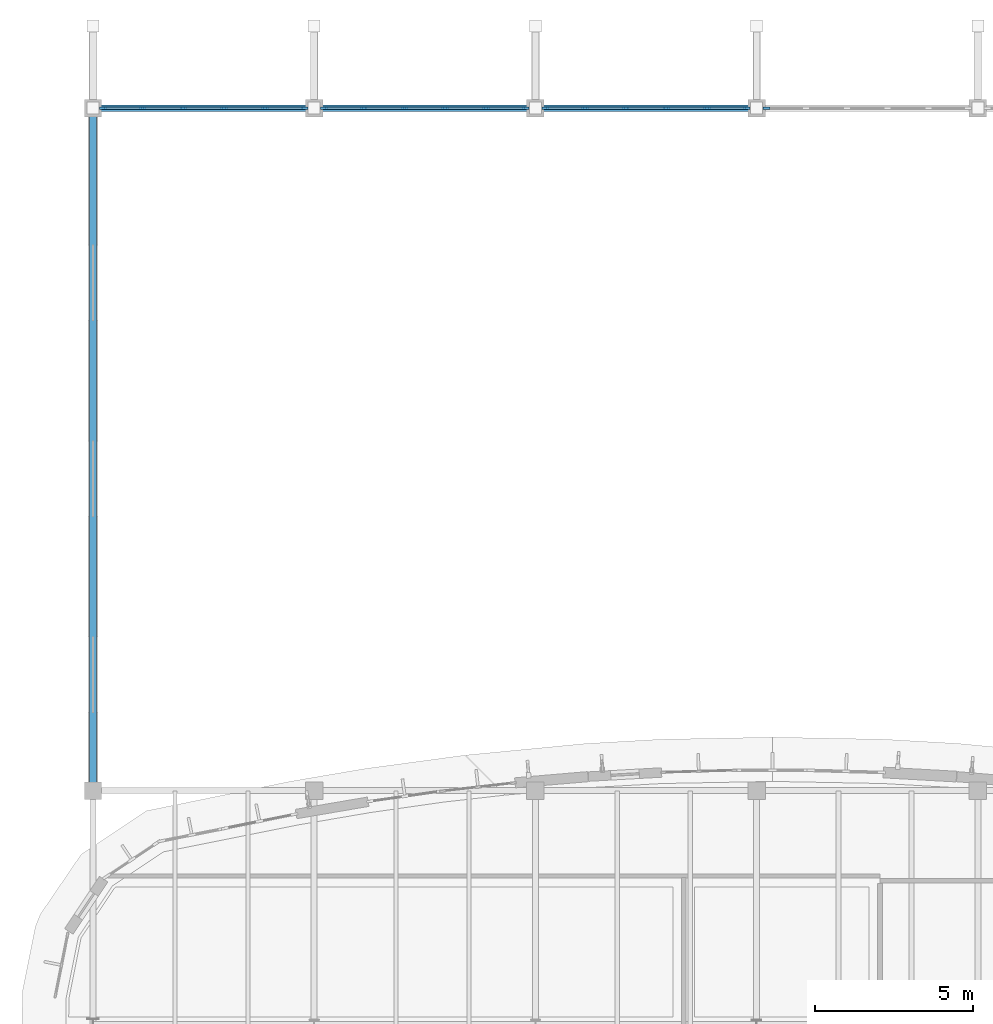
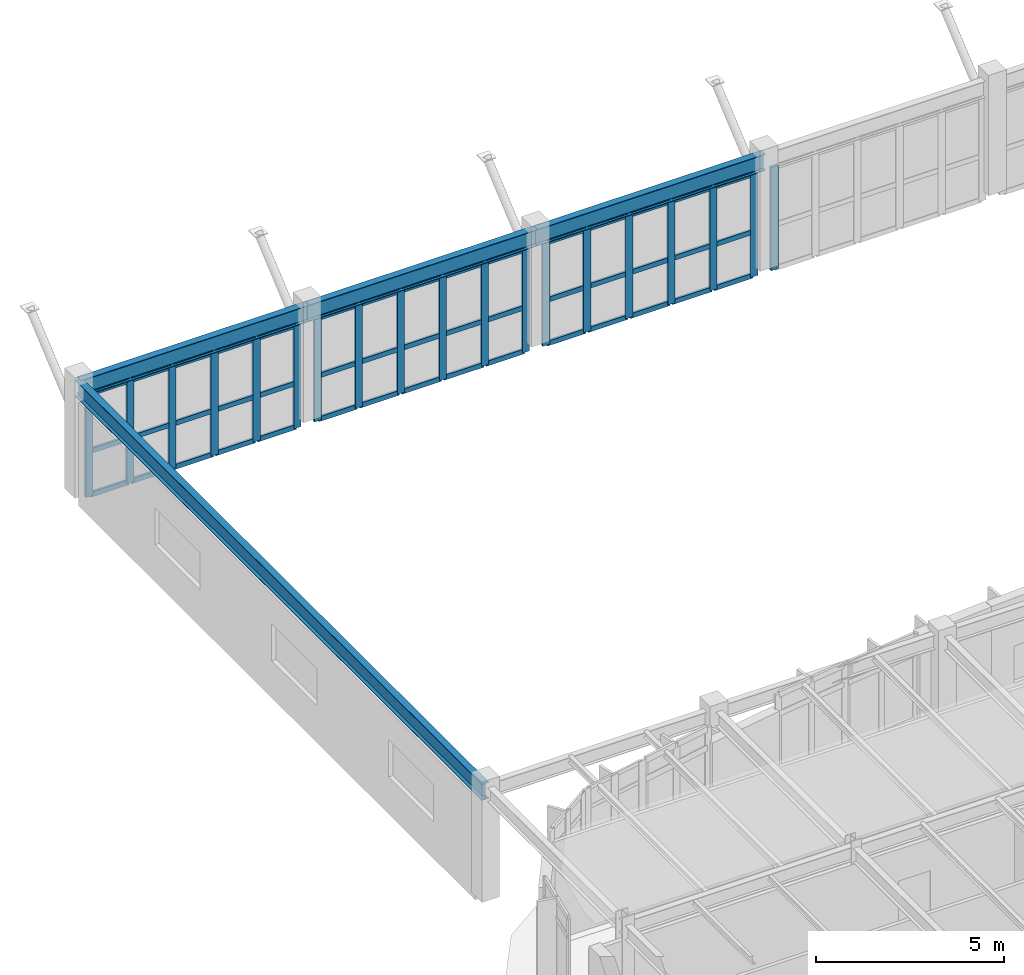
# One storey, part 42 of 111: 64 members, 4 beams, 4 elements without a shape of their own.
"""IFC4 building model written with IfcOpenShell, lengths in metres."""

from ifc_helpers import new_model, si_unit, direction, frame, origin, origin_2d, place, context, subcontext, project, spatial, rectangle, i_section, extrude, material, material_profile, profile_set, type_object, element, aggregate, save


model = new_model("IFC4")

# Units and contexts
model_context = context("Model", 3, precision=1e-05, world=origin(), true_north=direction((0.0, 1.0)))
body_context = subcontext(model_context, "Body", "Model", "MODEL_VIEW")
ifc_project = project(units=[si_unit("LENGTHUNIT", "METRE"), si_unit("AREAUNIT", "SQUARE_METRE"), si_unit("VOLUMEUNIT", "CUBIC_METRE"), si_unit("PLANEANGLEUNIT", "RADIAN"), si_unit("MASSUNIT", "GRAM", prefix="KILO")], contexts=[model_context])

# Site, building, storey
site_placement = place(None, origin())
site = spatial("IfcSite", under=ifc_project, at=site_placement, CompositionType="ELEMENT")
building_placement = place(site_placement, origin())
building = spatial("IfcBuilding", under=site, at=building_placement, Name="Corveleigh Park Community Centre", CompositionType="ELEMENT")
storey_placement = place(building_placement, frame((0.0, 0.0, 4.800048828125)))
storey = spatial("IfcBuildingStorey", under=building, at=storey_placement, Name="L01", CompositionType="ELEMENT", Elevation=4.800048828125)

# Beams
ifc_material_1 = material(Name="Steel S355", Category="steel")
ifc_material_profile_1 = material_profile(ifc_material_1, i_section(OverallWidth=0.2099609375, OverallDepth=0.53662109375, WebThickness=0.0107421875, FlangeThickness=0.017333984375, at=origin_2d()), Name="UKB 533x210x101", Category="steel")
ifc_profile_set_1 = profile_set([ifc_material_profile_1], Name="Steel S355")
beam_type = type_object("IfcBeamType", Name="BM-STL-UKB533x101", PredefinedType="BEAM", material=ifc_profile_set_1)
for number, where, z_axis, x_axis, name in (
    (1, (11.205078125, 114.39990234375, 3.34375), (1.0, 0.0, 0.0), (0.0, 1.0, 0.0), "V2 North Hall Girder"),
    (2, (18.205078125, 114.39990234375, 3.34375), (1.0, 0.0, 0.0), (0.0, 1.0, 0.0), "V2 North Hall Girder"),
    (3, (25.205078125, 114.39990234375, 3.34375), (1.0, 0.0, 0.0), (0.0, 1.0, 0.0), "V2 North Hall Girder"),
):
    element("IfcBeam", number, at=place(storey_placement, frame(where, z_axis=z_axis, x_axis=x_axis)), inside=storey, type_object=beam_type, Name=name, PredefinedType="BEAM", context=body_context, shape_type="SweptSolid", body=[
        extrude(i_section(OverallWidth=0.2099609375, OverallDepth=0.53662109375, WebThickness=0.0107421875, FlangeThickness=0.017333984375, at=origin_2d()), origin(), (0.0, 0.0, 1.0), 6.989990234375),
    ])
beam_placement = place(storey_placement, frame((11.199951171875, 92.804931640625, 3.34375), z_axis=(0.0, 1.0, 0.0), x_axis=(-1.0, 0.0, 0.0)))
element("IfcBeam", 4, at=beam_placement, inside=storey, type_object=beam_type, Name="V2 West Hall Gable Girder", PredefinedType="BEAM", context=body_context, shape_type="SweptSolid", body=[
    extrude(i_section(OverallWidth=0.2099609375, OverallDepth=0.53662109375, WebThickness=0.0107421875, FlangeThickness=0.017333984375, at=origin_2d()), origin(), (0.0, 0.0, 1.0), 21.590087890625),
])

# Curtain wall, members
ifc_material_2 = material(Name="Anodised aluminium 6063-T6", Category="aluminium")
curtain_wall_type = type_object("IfcCurtainWallType", Name="CW-SYS-V2-HALL", PredefinedType="NOTDEFINED", material=ifc_material_2)
curtain_wall_1_placement = place(storey_placement, origin())
curtain_wall_1 = element("IfcCurtainWall", 5, at=curtain_wall_1_placement, inside=storey, type_object=curtain_wall_type, Name="Sports Hall North Clerestory CW 1", PredefinedType="NOTDEFINED")
ifc_material_profile_2 = material_profile(ifc_material_2, rectangle(XDim=0.074951171875, YDim=0.219970703125, at=origin_2d()), Name="ALU-M75x220", Category="aluminium")
ifc_profile_set_2 = profile_set([ifc_material_profile_2], Name="Anodised aluminium 6063-T6")
member_type_1 = type_object("IfcMemberType", Name="CWM-75x220", PredefinedType="MULLION", material=ifc_profile_set_2)
member_1_placement = place(storey_placement, frame((17.887451171875, 114.39990234375, -0.2880859375), z_axis=(0.0, 0.0, 1.0), x_axis=(0.0, -1.0, 0.0)))
member_1 = element("IfcMember", 6, at=member_1_placement, type_object=member_type_1, Name="CW04 mullion 1", PredefinedType="MULLION", context=body_context, shape_type="SweptSolid", body=[
    extrude(rectangle(XDim=0.074951171875, YDim=0.219970703125, at=origin_2d()), origin(), (0.0, 0.0, 1.0), 3.35107421875),
])
member_2_placement = place(storey_placement, frame((16.635009765625, 114.39990234375, -0.2880859375), z_axis=(0.0, 0.0, 1.0), x_axis=(0.0, -1.0, 0.0)))
member_2 = element("IfcMember", 7, at=member_2_placement, type_object=member_type_1, Name="CW04 mullion 2", PredefinedType="MULLION", context=body_context, shape_type="SweptSolid", body=[
    extrude(rectangle(XDim=0.074951171875, YDim=0.219970703125, at=origin_2d()), origin(), (0.0, 0.0, 1.0), 3.35107421875),
])
member_3_placement = place(storey_placement, frame((15.344970703125, 114.39990234375, -0.2880859375), z_axis=(0.0, 0.0, 1.0), x_axis=(0.0, -1.0, 0.0)))
member_3 = element("IfcMember", 8, at=member_3_placement, type_object=member_type_1, Name="CW04 mullion 3", PredefinedType="MULLION", context=body_context, shape_type="SweptSolid", body=[
    extrude(rectangle(XDim=0.074951171875, YDim=0.219970703125, at=origin_2d()), origin(), (0.0, 0.0, 1.0), 3.35107421875),
])
member_4_placement = place(storey_placement, frame((14.054931640625, 114.39990234375, -0.2880859375), z_axis=(0.0, 0.0, 1.0), x_axis=(0.0, -1.0, 0.0)))
member_4 = element("IfcMember", 9, at=member_4_placement, type_object=member_type_1, Name="CW04 mullion 4", PredefinedType="MULLION", context=body_context, shape_type="SweptSolid", body=[
    extrude(rectangle(XDim=0.074951171875, YDim=0.219970703125, at=origin_2d()), origin(), (0.0, 0.0, 1.0), 3.35107421875),
])
member_5_placement = place(storey_placement, frame((12.764892578125, 114.39990234375, -0.2880859375), z_axis=(0.0, 0.0, 1.0), x_axis=(0.0, -1.0, 0.0)))
member_5 = element("IfcMember", 10, at=member_5_placement, type_object=member_type_1, Name="CW04 mullion 5", PredefinedType="MULLION", context=body_context, shape_type="SweptSolid", body=[
    extrude(rectangle(XDim=0.074951171875, YDim=0.219970703125, at=origin_2d()), origin(), (0.0, 0.0, 1.0), 3.35107421875),
])
member_6_placement = place(storey_placement, frame((11.512451171875, 114.39990234375, -0.2880859375), z_axis=(0.0, 0.0, 1.0), x_axis=(0.0, -1.0, 0.0)))
member_6 = element("IfcMember", 11, at=member_6_placement, type_object=member_type_1, Name="CW04 mullion 6", PredefinedType="MULLION", context=body_context, shape_type="SweptSolid", body=[
    extrude(rectangle(XDim=0.074951171875, YDim=0.219970703125, at=origin_2d()), origin(), (0.0, 0.0, 1.0), 3.35107421875),
])

curtain_wall_2_placement = place(storey_placement, origin())
curtain_wall_2 = element("IfcCurtainWall", 12, at=curtain_wall_2_placement, inside=storey, type_object=curtain_wall_type, Name="Sports Hall North Clerestory CW 2", PredefinedType="NOTDEFINED")
member_7_placement = place(storey_placement, frame((24.887451171875, 114.39990234375, -0.2880859375), z_axis=(0.0, 0.0, 1.0), x_axis=(0.0, -1.0, 0.0)))
member_7 = element("IfcMember", 13, at=member_7_placement, type_object=member_type_1, Name="CW04 mullion 1", PredefinedType="MULLION", context=body_context, shape_type="SweptSolid", body=[
    extrude(rectangle(XDim=0.074951171875, YDim=0.219970703125, at=origin_2d()), origin(), (0.0, 0.0, 1.0), 3.35107421875),
])
member_8_placement = place(storey_placement, frame((23.635009765625, 114.39990234375, -0.2880859375), z_axis=(0.0, 0.0, 1.0), x_axis=(0.0, -1.0, 0.0)))
member_8 = element("IfcMember", 14, at=member_8_placement, type_object=member_type_1, Name="CW04 mullion 2", PredefinedType="MULLION", context=body_context, shape_type="SweptSolid", body=[
    extrude(rectangle(XDim=0.074951171875, YDim=0.219970703125, at=origin_2d()), origin(), (0.0, 0.0, 1.0), 3.35107421875),
])
member_9_placement = place(storey_placement, frame((22.344970703125, 114.39990234375, -0.2880859375), z_axis=(0.0, 0.0, 1.0), x_axis=(0.0, -1.0, 0.0)))
member_9 = element("IfcMember", 15, at=member_9_placement, type_object=member_type_1, Name="CW04 mullion 3", PredefinedType="MULLION", context=body_context, shape_type="SweptSolid", body=[
    extrude(rectangle(XDim=0.074951171875, YDim=0.219970703125, at=origin_2d()), origin(), (0.0, 0.0, 1.0), 3.35107421875),
])
member_10_placement = place(storey_placement, frame((21.054931640625, 114.39990234375, -0.2880859375), z_axis=(0.0, 0.0, 1.0), x_axis=(0.0, -1.0, 0.0)))
member_10 = element("IfcMember", 16, at=member_10_placement, type_object=member_type_1, Name="CW04 mullion 4", PredefinedType="MULLION", context=body_context, shape_type="SweptSolid", body=[
    extrude(rectangle(XDim=0.074951171875, YDim=0.219970703125, at=origin_2d()), origin(), (0.0, 0.0, 1.0), 3.35107421875),
])
member_11_placement = place(storey_placement, frame((19.764892578125, 114.39990234375, -0.2880859375), z_axis=(0.0, 0.0, 1.0), x_axis=(0.0, -1.0, 0.0)))
member_11 = element("IfcMember", 17, at=member_11_placement, type_object=member_type_1, Name="CW04 mullion 5", PredefinedType="MULLION", context=body_context, shape_type="SweptSolid", body=[
    extrude(rectangle(XDim=0.074951171875, YDim=0.219970703125, at=origin_2d()), origin(), (0.0, 0.0, 1.0), 3.35107421875),
])
member_12_placement = place(storey_placement, frame((18.512451171875, 114.39990234375, -0.2880859375), z_axis=(0.0, 0.0, 1.0), x_axis=(0.0, -1.0, 0.0)))
member_12 = element("IfcMember", 18, at=member_12_placement, type_object=member_type_1, Name="CW04 mullion 6", PredefinedType="MULLION", context=body_context, shape_type="SweptSolid", body=[
    extrude(rectangle(XDim=0.074951171875, YDim=0.219970703125, at=origin_2d()), origin(), (0.0, 0.0, 1.0), 3.35107421875),
])

curtain_wall_3_placement = place(storey_placement, origin())
curtain_wall_3 = element("IfcCurtainWall", 19, at=curtain_wall_3_placement, inside=storey, type_object=curtain_wall_type, Name="Sports Hall North Clerestory CW 3", PredefinedType="NOTDEFINED")
member_13_placement = place(storey_placement, frame((31.887451171875, 114.39990234375, -0.2880859375), z_axis=(0.0, 0.0, 1.0), x_axis=(0.0, -1.0, 0.0)))
member_13 = element("IfcMember", 20, at=member_13_placement, type_object=member_type_1, Name="CW04 mullion 1", PredefinedType="MULLION", context=body_context, shape_type="SweptSolid", body=[
    extrude(rectangle(XDim=0.074951171875, YDim=0.219970703125, at=origin_2d()), origin(), (0.0, 0.0, 1.0), 3.35107421875),
])
member_14_placement = place(storey_placement, frame((30.635009765625, 114.39990234375, -0.2880859375), z_axis=(0.0, 0.0, 1.0), x_axis=(0.0, -1.0, 0.0)))
member_14 = element("IfcMember", 21, at=member_14_placement, type_object=member_type_1, Name="CW04 mullion 2", PredefinedType="MULLION", context=body_context, shape_type="SweptSolid", body=[
    extrude(rectangle(XDim=0.074951171875, YDim=0.219970703125, at=origin_2d()), origin(), (0.0, 0.0, 1.0), 3.35107421875),
])
member_15_placement = place(storey_placement, frame((29.344970703125, 114.39990234375, -0.2880859375), z_axis=(0.0, 0.0, 1.0), x_axis=(0.0, -1.0, 0.0)))
member_15 = element("IfcMember", 22, at=member_15_placement, type_object=member_type_1, Name="CW04 mullion 3", PredefinedType="MULLION", context=body_context, shape_type="SweptSolid", body=[
    extrude(rectangle(XDim=0.074951171875, YDim=0.219970703125, at=origin_2d()), origin(), (0.0, 0.0, 1.0), 3.35107421875),
])
member_16_placement = place(storey_placement, frame((28.054931640625, 114.39990234375, -0.2880859375), z_axis=(0.0, 0.0, 1.0), x_axis=(0.0, -1.0, 0.0)))
member_16 = element("IfcMember", 23, at=member_16_placement, type_object=member_type_1, Name="CW04 mullion 4", PredefinedType="MULLION", context=body_context, shape_type="SweptSolid", body=[
    extrude(rectangle(XDim=0.074951171875, YDim=0.219970703125, at=origin_2d()), origin(), (0.0, 0.0, 1.0), 3.35107421875),
])
member_17_placement = place(storey_placement, frame((26.764892578125, 114.39990234375, -0.2880859375), z_axis=(0.0, 0.0, 1.0), x_axis=(0.0, -1.0, 0.0)))
member_17 = element("IfcMember", 24, at=member_17_placement, type_object=member_type_1, Name="CW04 mullion 5", PredefinedType="MULLION", context=body_context, shape_type="SweptSolid", body=[
    extrude(rectangle(XDim=0.074951171875, YDim=0.219970703125, at=origin_2d()), origin(), (0.0, 0.0, 1.0), 3.35107421875),
])
member_18_placement = place(storey_placement, frame((25.512451171875, 114.39990234375, -0.2880859375), z_axis=(0.0, 0.0, 1.0), x_axis=(0.0, -1.0, 0.0)))
member_18 = element("IfcMember", 25, at=member_18_placement, type_object=member_type_1, Name="CW04 mullion 6", PredefinedType="MULLION", context=body_context, shape_type="SweptSolid", body=[
    extrude(rectangle(XDim=0.074951171875, YDim=0.219970703125, at=origin_2d()), origin(), (0.0, 0.0, 1.0), 3.35107421875),
])

# Curtain wall, member
curtain_wall_4_placement = place(storey_placement, origin())
curtain_wall_4 = element("IfcCurtainWall", 26, at=curtain_wall_4_placement, inside=storey, type_object=curtain_wall_type, Name="Sports Hall North Clerestory CW 4", PredefinedType="NOTDEFINED")
member_19_placement = place(storey_placement, frame((32.512451171875, 114.39990234375, -0.2880859375), z_axis=(0.0, 0.0, 1.0), x_axis=(0.0, -1.0, 0.0)))
member_19 = element("IfcMember", 27, at=member_19_placement, type_object=member_type_1, Name="CW04 mullion 6", PredefinedType="MULLION", context=body_context, shape_type="SweptSolid", body=[
    extrude(rectangle(XDim=0.074951171875, YDim=0.219970703125, at=origin_2d()), origin(), (0.0, 0.0, 1.0), 3.35107421875),
])
aggregate(curtain_wall_4, [member_19])

# Member
ifc_material_profile_3 = material_profile(ifc_material_2, rectangle(XDim=0.070068359375, YDim=0.155029296875, at=origin_2d()), Name="ALU-T70x155", Category="aluminium")
ifc_profile_set_3 = profile_set([ifc_material_profile_3], Name="Anodised aluminium 6063-T6")
member_type_2 = type_object("IfcMemberType", Name="CWT-70x155", PredefinedType="USERDEFINED", material=ifc_profile_set_3)
member_20_placement = place(storey_placement, frame((17.85009765625, 114.39990234375, -0.2529296875), z_axis=(-1.0, 0.0, 0.0), x_axis=(0.0, -1.0, 0.0)))
member_20 = element("IfcMember", 28, at=member_20_placement, type_object=member_type_2, Name="CW04 transom 1.1", ObjectType="TRANSOM", PredefinedType="USERDEFINED", context=body_context, shape_type="SweptSolid", body=[
    extrude(rectangle(XDim=0.070068359375, YDim=0.155029296875, at=origin_2d()), origin(), (0.0, 0.0, 1.0), 1.177490234375),
])

member_21_placement = place(storey_placement, frame((17.85009765625, 114.39990234375, 1.161865234375), z_axis=(-1.0, 0.0, 0.0), x_axis=(0.0, -1.0, 0.0)))
member_21 = element("IfcMember", 29, at=member_21_placement, type_object=member_type_2, Name="CW04 transom 1.2", ObjectType="TRANSOM", PredefinedType="USERDEFINED", context=body_context, shape_type="SweptSolid", body=[
    extrude(rectangle(XDim=0.070068359375, YDim=0.155029296875, at=origin_2d()), origin(), (0.0, 0.0, 1.0), 1.177490234375),
])

member_22_placement = place(storey_placement, frame((17.85009765625, 114.39990234375, 3.02783203125), z_axis=(-1.0, 0.0, 0.0), x_axis=(0.0, -1.0, 0.0)))
member_22 = element("IfcMember", 30, at=member_22_placement, type_object=member_type_2, Name="CW04 transom 1.3", ObjectType="TRANSOM", PredefinedType="USERDEFINED", context=body_context, shape_type="SweptSolid", body=[
    extrude(rectangle(XDim=0.070068359375, YDim=0.155029296875, at=origin_2d()), origin(), (0.0, 0.0, 1.0), 1.177490234375),
])

member_23_placement = place(storey_placement, frame((16.597412109375, 114.39990234375, -0.2529296875), z_axis=(-1.0, 0.0, 0.0), x_axis=(0.0, -1.0, 0.0)))
member_23 = element("IfcMember", 31, at=member_23_placement, type_object=member_type_2, Name="CW04 transom 2.1", ObjectType="TRANSOM", PredefinedType="USERDEFINED", context=body_context, shape_type="SweptSolid", body=[
    extrude(rectangle(XDim=0.070068359375, YDim=0.155029296875, at=origin_2d()), origin(), (0.0, 0.0, 1.0), 1.21484375),
])

member_24_placement = place(storey_placement, frame((16.597412109375, 114.39990234375, 1.161865234375), z_axis=(-1.0, 0.0, 0.0), x_axis=(0.0, -1.0, 0.0)))
member_24 = element("IfcMember", 32, at=member_24_placement, type_object=member_type_2, Name="CW04 transom 2.2", ObjectType="TRANSOM", PredefinedType="USERDEFINED", context=body_context, shape_type="SweptSolid", body=[
    extrude(rectangle(XDim=0.070068359375, YDim=0.155029296875, at=origin_2d()), origin(), (0.0, 0.0, 1.0), 1.21484375),
])

member_25_placement = place(storey_placement, frame((16.597412109375, 114.39990234375, 3.02783203125), z_axis=(-1.0, 0.0, 0.0), x_axis=(0.0, -1.0, 0.0)))
member_25 = element("IfcMember", 33, at=member_25_placement, type_object=member_type_2, Name="CW04 transom 2.3", ObjectType="TRANSOM", PredefinedType="USERDEFINED", context=body_context, shape_type="SweptSolid", body=[
    extrude(rectangle(XDim=0.070068359375, YDim=0.155029296875, at=origin_2d()), origin(), (0.0, 0.0, 1.0), 1.21484375),
])

member_26_placement = place(storey_placement, frame((15.3076171875, 114.39990234375, -0.2529296875), z_axis=(-1.0, 0.0, 0.0), x_axis=(0.0, -1.0, 0.0)))
member_26 = element("IfcMember", 34, at=member_26_placement, type_object=member_type_2, Name="CW04 transom 3.1", ObjectType="TRANSOM", PredefinedType="USERDEFINED", context=body_context, shape_type="SweptSolid", body=[
    extrude(rectangle(XDim=0.070068359375, YDim=0.155029296875, at=origin_2d()), origin(), (0.0, 0.0, 1.0), 1.215087890625),
])

member_27_placement = place(storey_placement, frame((15.3076171875, 114.39990234375, 1.161865234375), z_axis=(-1.0, 0.0, 0.0), x_axis=(0.0, -1.0, 0.0)))
member_27 = element("IfcMember", 35, at=member_27_placement, type_object=member_type_2, Name="CW04 transom 3.2", ObjectType="TRANSOM", PredefinedType="USERDEFINED", context=body_context, shape_type="SweptSolid", body=[
    extrude(rectangle(XDim=0.070068359375, YDim=0.155029296875, at=origin_2d()), origin(), (0.0, 0.0, 1.0), 1.215087890625),
])

member_28_placement = place(storey_placement, frame((15.3076171875, 114.39990234375, 3.02783203125), z_axis=(-1.0, 0.0, 0.0), x_axis=(0.0, -1.0, 0.0)))
member_28 = element("IfcMember", 36, at=member_28_placement, type_object=member_type_2, Name="CW04 transom 3.3", ObjectType="TRANSOM", PredefinedType="USERDEFINED", context=body_context, shape_type="SweptSolid", body=[
    extrude(rectangle(XDim=0.070068359375, YDim=0.155029296875, at=origin_2d()), origin(), (0.0, 0.0, 1.0), 1.215087890625),
])

member_29_placement = place(storey_placement, frame((14.017578125, 114.39990234375, -0.2529296875), z_axis=(-1.0, 0.0, 0.0), x_axis=(0.0, -1.0, 0.0)))
member_29 = element("IfcMember", 37, at=member_29_placement, type_object=member_type_2, Name="CW04 transom 4.1", ObjectType="TRANSOM", PredefinedType="USERDEFINED", context=body_context, shape_type="SweptSolid", body=[
    extrude(rectangle(XDim=0.070068359375, YDim=0.155029296875, at=origin_2d()), origin(), (0.0, 0.0, 1.0), 1.215087890625),
])

member_30_placement = place(storey_placement, frame((14.017578125, 114.39990234375, 1.161865234375), z_axis=(-1.0, 0.0, 0.0), x_axis=(0.0, -1.0, 0.0)))
member_30 = element("IfcMember", 38, at=member_30_placement, type_object=member_type_2, Name="CW04 transom 4.2", ObjectType="TRANSOM", PredefinedType="USERDEFINED", context=body_context, shape_type="SweptSolid", body=[
    extrude(rectangle(XDim=0.070068359375, YDim=0.155029296875, at=origin_2d()), origin(), (0.0, 0.0, 1.0), 1.215087890625),
])

member_31_placement = place(storey_placement, frame((14.017578125, 114.39990234375, 3.02783203125), z_axis=(-1.0, 0.0, 0.0), x_axis=(0.0, -1.0, 0.0)))
member_31 = element("IfcMember", 39, at=member_31_placement, type_object=member_type_2, Name="CW04 transom 4.3", ObjectType="TRANSOM", PredefinedType="USERDEFINED", context=body_context, shape_type="SweptSolid", body=[
    extrude(rectangle(XDim=0.070068359375, YDim=0.155029296875, at=origin_2d()), origin(), (0.0, 0.0, 1.0), 1.215087890625),
])

member_32_placement = place(storey_placement, frame((12.7275390625, 114.39990234375, -0.2529296875), z_axis=(-1.0, 0.0, 0.0), x_axis=(0.0, -1.0, 0.0)))
member_32 = element("IfcMember", 40, at=member_32_placement, type_object=member_type_2, Name="CW04 transom 5.1", ObjectType="TRANSOM", PredefinedType="USERDEFINED", context=body_context, shape_type="SweptSolid", body=[
    extrude(rectangle(XDim=0.070068359375, YDim=0.155029296875, at=origin_2d()), origin(), (0.0, 0.0, 1.0), 1.177490234375),
])

member_33_placement = place(storey_placement, frame((12.7275390625, 114.39990234375, 1.161865234375), z_axis=(-1.0, 0.0, 0.0), x_axis=(0.0, -1.0, 0.0)))
member_33 = element("IfcMember", 41, at=member_33_placement, type_object=member_type_2, Name="CW04 transom 5.2", ObjectType="TRANSOM", PredefinedType="USERDEFINED", context=body_context, shape_type="SweptSolid", body=[
    extrude(rectangle(XDim=0.070068359375, YDim=0.155029296875, at=origin_2d()), origin(), (0.0, 0.0, 1.0), 1.177490234375),
])

member_34_placement = place(storey_placement, frame((12.7275390625, 114.39990234375, 3.02783203125), z_axis=(-1.0, 0.0, 0.0), x_axis=(0.0, -1.0, 0.0)))
member_34 = element("IfcMember", 42, at=member_34_placement, type_object=member_type_2, Name="CW04 transom 5.3", ObjectType="TRANSOM", PredefinedType="USERDEFINED", context=body_context, shape_type="SweptSolid", body=[
    extrude(rectangle(XDim=0.070068359375, YDim=0.155029296875, at=origin_2d()), origin(), (0.0, 0.0, 1.0), 1.177490234375),
])

aggregate(curtain_wall_1, [member_1, member_2, member_3, member_4, member_5, member_6, member_20, member_21, member_22, member_23, member_24, member_25, member_26, member_27, member_28, member_29, member_30, member_31, member_32, member_33, member_34])

member_35_placement = place(storey_placement, frame((24.85009765625, 114.39990234375, -0.2529296875), z_axis=(-1.0, 0.0, 0.0), x_axis=(0.0, -1.0, 0.0)))
member_35 = element("IfcMember", 43, at=member_35_placement, type_object=member_type_2, Name="CW04 transom 1.1", ObjectType="TRANSOM", PredefinedType="USERDEFINED", context=body_context, shape_type="SweptSolid", body=[
    extrude(rectangle(XDim=0.070068359375, YDim=0.155029296875, at=origin_2d()), origin(), (0.0, 0.0, 1.0), 1.177490234375),
])

member_36_placement = place(storey_placement, frame((24.85009765625, 114.39990234375, 1.161865234375), z_axis=(-1.0, 0.0, 0.0), x_axis=(0.0, -1.0, 0.0)))
member_36 = element("IfcMember", 44, at=member_36_placement, type_object=member_type_2, Name="CW04 transom 1.2", ObjectType="TRANSOM", PredefinedType="USERDEFINED", context=body_context, shape_type="SweptSolid", body=[
    extrude(rectangle(XDim=0.070068359375, YDim=0.155029296875, at=origin_2d()), origin(), (0.0, 0.0, 1.0), 1.177490234375),
])

member_37_placement = place(storey_placement, frame((24.85009765625, 114.39990234375, 3.02783203125), z_axis=(-1.0, 0.0, 0.0), x_axis=(0.0, -1.0, 0.0)))
member_37 = element("IfcMember", 45, at=member_37_placement, type_object=member_type_2, Name="CW04 transom 1.3", ObjectType="TRANSOM", PredefinedType="USERDEFINED", context=body_context, shape_type="SweptSolid", body=[
    extrude(rectangle(XDim=0.070068359375, YDim=0.155029296875, at=origin_2d()), origin(), (0.0, 0.0, 1.0), 1.177490234375),
])

member_38_placement = place(storey_placement, frame((23.597412109375, 114.39990234375, -0.2529296875), z_axis=(-1.0, 0.0, 0.0), x_axis=(0.0, -1.0, 0.0)))
member_38 = element("IfcMember", 46, at=member_38_placement, type_object=member_type_2, Name="CW04 transom 2.1", ObjectType="TRANSOM", PredefinedType="USERDEFINED", context=body_context, shape_type="SweptSolid", body=[
    extrude(rectangle(XDim=0.070068359375, YDim=0.155029296875, at=origin_2d()), origin(), (0.0, 0.0, 1.0), 1.21484375),
])

member_39_placement = place(storey_placement, frame((23.597412109375, 114.39990234375, 1.161865234375), z_axis=(-1.0, 0.0, 0.0), x_axis=(0.0, -1.0, 0.0)))
member_39 = element("IfcMember", 47, at=member_39_placement, type_object=member_type_2, Name="CW04 transom 2.2", ObjectType="TRANSOM", PredefinedType="USERDEFINED", context=body_context, shape_type="SweptSolid", body=[
    extrude(rectangle(XDim=0.070068359375, YDim=0.155029296875, at=origin_2d()), origin(), (0.0, 0.0, 1.0), 1.21484375),
])

member_40_placement = place(storey_placement, frame((23.597412109375, 114.39990234375, 3.02783203125), z_axis=(-1.0, 0.0, 0.0), x_axis=(0.0, -1.0, 0.0)))
member_40 = element("IfcMember", 48, at=member_40_placement, type_object=member_type_2, Name="CW04 transom 2.3", ObjectType="TRANSOM", PredefinedType="USERDEFINED", context=body_context, shape_type="SweptSolid", body=[
    extrude(rectangle(XDim=0.070068359375, YDim=0.155029296875, at=origin_2d()), origin(), (0.0, 0.0, 1.0), 1.21484375),
])

member_41_placement = place(storey_placement, frame((22.3076171875, 114.39990234375, -0.2529296875), z_axis=(-1.0, 0.0, 0.0), x_axis=(0.0, -1.0, 0.0)))
member_41 = element("IfcMember", 49, at=member_41_placement, type_object=member_type_2, Name="CW04 transom 3.1", ObjectType="TRANSOM", PredefinedType="USERDEFINED", context=body_context, shape_type="SweptSolid", body=[
    extrude(rectangle(XDim=0.070068359375, YDim=0.155029296875, at=origin_2d()), origin(), (0.0, 0.0, 1.0), 1.215087890625),
])

member_42_placement = place(storey_placement, frame((22.3076171875, 114.39990234375, 1.161865234375), z_axis=(-1.0, 0.0, 0.0), x_axis=(0.0, -1.0, 0.0)))
member_42 = element("IfcMember", 50, at=member_42_placement, type_object=member_type_2, Name="CW04 transom 3.2", ObjectType="TRANSOM", PredefinedType="USERDEFINED", context=body_context, shape_type="SweptSolid", body=[
    extrude(rectangle(XDim=0.070068359375, YDim=0.155029296875, at=origin_2d()), origin(), (0.0, 0.0, 1.0), 1.215087890625),
])

member_43_placement = place(storey_placement, frame((22.3076171875, 114.39990234375, 3.02783203125), z_axis=(-1.0, 0.0, 0.0), x_axis=(0.0, -1.0, 0.0)))
member_43 = element("IfcMember", 51, at=member_43_placement, type_object=member_type_2, Name="CW04 transom 3.3", ObjectType="TRANSOM", PredefinedType="USERDEFINED", context=body_context, shape_type="SweptSolid", body=[
    extrude(rectangle(XDim=0.070068359375, YDim=0.155029296875, at=origin_2d()), origin(), (0.0, 0.0, 1.0), 1.215087890625),
])

member_44_placement = place(storey_placement, frame((21.017578125, 114.39990234375, -0.2529296875), z_axis=(-1.0, 0.0, 0.0), x_axis=(0.0, -1.0, 0.0)))
member_44 = element("IfcMember", 52, at=member_44_placement, type_object=member_type_2, Name="CW04 transom 4.1", ObjectType="TRANSOM", PredefinedType="USERDEFINED", context=body_context, shape_type="SweptSolid", body=[
    extrude(rectangle(XDim=0.070068359375, YDim=0.155029296875, at=origin_2d()), origin(), (0.0, 0.0, 1.0), 1.215087890625),
])

member_45_placement = place(storey_placement, frame((21.017578125, 114.39990234375, 1.161865234375), z_axis=(-1.0, 0.0, 0.0), x_axis=(0.0, -1.0, 0.0)))
member_45 = element("IfcMember", 53, at=member_45_placement, type_object=member_type_2, Name="CW04 transom 4.2", ObjectType="TRANSOM", PredefinedType="USERDEFINED", context=body_context, shape_type="SweptSolid", body=[
    extrude(rectangle(XDim=0.070068359375, YDim=0.155029296875, at=origin_2d()), origin(), (0.0, 0.0, 1.0), 1.215087890625),
])

member_46_placement = place(storey_placement, frame((21.017578125, 114.39990234375, 3.02783203125), z_axis=(-1.0, 0.0, 0.0), x_axis=(0.0, -1.0, 0.0)))
member_46 = element("IfcMember", 54, at=member_46_placement, type_object=member_type_2, Name="CW04 transom 4.3", ObjectType="TRANSOM", PredefinedType="USERDEFINED", context=body_context, shape_type="SweptSolid", body=[
    extrude(rectangle(XDim=0.070068359375, YDim=0.155029296875, at=origin_2d()), origin(), (0.0, 0.0, 1.0), 1.215087890625),
])

member_47_placement = place(storey_placement, frame((19.7275390625, 114.39990234375, -0.2529296875), z_axis=(-1.0, 0.0, 0.0), x_axis=(0.0, -1.0, 0.0)))
member_47 = element("IfcMember", 55, at=member_47_placement, type_object=member_type_2, Name="CW04 transom 5.1", ObjectType="TRANSOM", PredefinedType="USERDEFINED", context=body_context, shape_type="SweptSolid", body=[
    extrude(rectangle(XDim=0.070068359375, YDim=0.155029296875, at=origin_2d()), origin(), (0.0, 0.0, 1.0), 1.177490234375),
])

member_48_placement = place(storey_placement, frame((19.7275390625, 114.39990234375, 1.161865234375), z_axis=(-1.0, 0.0, 0.0), x_axis=(0.0, -1.0, 0.0)))
member_48 = element("IfcMember", 56, at=member_48_placement, type_object=member_type_2, Name="CW04 transom 5.2", ObjectType="TRANSOM", PredefinedType="USERDEFINED", context=body_context, shape_type="SweptSolid", body=[
    extrude(rectangle(XDim=0.070068359375, YDim=0.155029296875, at=origin_2d()), origin(), (0.0, 0.0, 1.0), 1.177490234375),
])

member_49_placement = place(storey_placement, frame((19.7275390625, 114.39990234375, 3.02783203125), z_axis=(-1.0, 0.0, 0.0), x_axis=(0.0, -1.0, 0.0)))
member_49 = element("IfcMember", 57, at=member_49_placement, type_object=member_type_2, Name="CW04 transom 5.3", ObjectType="TRANSOM", PredefinedType="USERDEFINED", context=body_context, shape_type="SweptSolid", body=[
    extrude(rectangle(XDim=0.070068359375, YDim=0.155029296875, at=origin_2d()), origin(), (0.0, 0.0, 1.0), 1.177490234375),
])

aggregate(curtain_wall_2, [member_7, member_8, member_9, member_10, member_11, member_12, member_35, member_36, member_37, member_38, member_39, member_40, member_41, member_42, member_43, member_44, member_45, member_46, member_47, member_48, member_49])

member_50_placement = place(storey_placement, frame((31.85009765625, 114.39990234375, -0.2529296875), z_axis=(-1.0, 0.0, 0.0), x_axis=(0.0, -1.0, 0.0)))
member_50 = element("IfcMember", 58, at=member_50_placement, type_object=member_type_2, Name="CW04 transom 1.1", ObjectType="TRANSOM", PredefinedType="USERDEFINED", context=body_context, shape_type="SweptSolid", body=[
    extrude(rectangle(XDim=0.070068359375, YDim=0.155029296875, at=origin_2d()), origin(), (0.0, 0.0, 1.0), 1.177490234375),
])

member_51_placement = place(storey_placement, frame((31.85009765625, 114.39990234375, 1.161865234375), z_axis=(-1.0, 0.0, 0.0), x_axis=(0.0, -1.0, 0.0)))
member_51 = element("IfcMember", 59, at=member_51_placement, type_object=member_type_2, Name="CW04 transom 1.2", ObjectType="TRANSOM", PredefinedType="USERDEFINED", context=body_context, shape_type="SweptSolid", body=[
    extrude(rectangle(XDim=0.070068359375, YDim=0.155029296875, at=origin_2d()), origin(), (0.0, 0.0, 1.0), 1.177490234375),
])

member_52_placement = place(storey_placement, frame((31.85009765625, 114.39990234375, 3.02783203125), z_axis=(-1.0, 0.0, 0.0), x_axis=(0.0, -1.0, 0.0)))
member_52 = element("IfcMember", 60, at=member_52_placement, type_object=member_type_2, Name="CW04 transom 1.3", ObjectType="TRANSOM", PredefinedType="USERDEFINED", context=body_context, shape_type="SweptSolid", body=[
    extrude(rectangle(XDim=0.070068359375, YDim=0.155029296875, at=origin_2d()), origin(), (0.0, 0.0, 1.0), 1.177490234375),
])

member_53_placement = place(storey_placement, frame((30.597412109375, 114.39990234375, -0.2529296875), z_axis=(-1.0, 0.0, 0.0), x_axis=(0.0, -1.0, 0.0)))
member_53 = element("IfcMember", 61, at=member_53_placement, type_object=member_type_2, Name="CW04 transom 2.1", ObjectType="TRANSOM", PredefinedType="USERDEFINED", context=body_context, shape_type="SweptSolid", body=[
    extrude(rectangle(XDim=0.070068359375, YDim=0.155029296875, at=origin_2d()), origin(), (0.0, 0.0, 1.0), 1.21484375),
])

member_54_placement = place(storey_placement, frame((30.597412109375, 114.39990234375, 1.161865234375), z_axis=(-1.0, 0.0, 0.0), x_axis=(0.0, -1.0, 0.0)))
member_54 = element("IfcMember", 62, at=member_54_placement, type_object=member_type_2, Name="CW04 transom 2.2", ObjectType="TRANSOM", PredefinedType="USERDEFINED", context=body_context, shape_type="SweptSolid", body=[
    extrude(rectangle(XDim=0.070068359375, YDim=0.155029296875, at=origin_2d()), origin(), (0.0, 0.0, 1.0), 1.21484375),
])

member_55_placement = place(storey_placement, frame((30.597412109375, 114.39990234375, 3.02783203125), z_axis=(-1.0, 0.0, 0.0), x_axis=(0.0, -1.0, 0.0)))
member_55 = element("IfcMember", 63, at=member_55_placement, type_object=member_type_2, Name="CW04 transom 2.3", ObjectType="TRANSOM", PredefinedType="USERDEFINED", context=body_context, shape_type="SweptSolid", body=[
    extrude(rectangle(XDim=0.070068359375, YDim=0.155029296875, at=origin_2d()), origin(), (0.0, 0.0, 1.0), 1.21484375),
])

member_56_placement = place(storey_placement, frame((29.3076171875, 114.39990234375, -0.2529296875), z_axis=(-1.0, 0.0, 0.0), x_axis=(0.0, -1.0, 0.0)))
member_56 = element("IfcMember", 64, at=member_56_placement, type_object=member_type_2, Name="CW04 transom 3.1", ObjectType="TRANSOM", PredefinedType="USERDEFINED", context=body_context, shape_type="SweptSolid", body=[
    extrude(rectangle(XDim=0.070068359375, YDim=0.155029296875, at=origin_2d()), origin(), (0.0, 0.0, 1.0), 1.215087890625),
])

member_57_placement = place(storey_placement, frame((29.3076171875, 114.39990234375, 1.161865234375), z_axis=(-1.0, 0.0, 0.0), x_axis=(0.0, -1.0, 0.0)))
member_57 = element("IfcMember", 65, at=member_57_placement, type_object=member_type_2, Name="CW04 transom 3.2", ObjectType="TRANSOM", PredefinedType="USERDEFINED", context=body_context, shape_type="SweptSolid", body=[
    extrude(rectangle(XDim=0.070068359375, YDim=0.155029296875, at=origin_2d()), origin(), (0.0, 0.0, 1.0), 1.215087890625),
])

member_58_placement = place(storey_placement, frame((29.3076171875, 114.39990234375, 3.02783203125), z_axis=(-1.0, 0.0, 0.0), x_axis=(0.0, -1.0, 0.0)))
member_58 = element("IfcMember", 66, at=member_58_placement, type_object=member_type_2, Name="CW04 transom 3.3", ObjectType="TRANSOM", PredefinedType="USERDEFINED", context=body_context, shape_type="SweptSolid", body=[
    extrude(rectangle(XDim=0.070068359375, YDim=0.155029296875, at=origin_2d()), origin(), (0.0, 0.0, 1.0), 1.215087890625),
])

member_59_placement = place(storey_placement, frame((28.017578125, 114.39990234375, -0.2529296875), z_axis=(-1.0, 0.0, 0.0), x_axis=(0.0, -1.0, 0.0)))
member_59 = element("IfcMember", 67, at=member_59_placement, type_object=member_type_2, Name="CW04 transom 4.1", ObjectType="TRANSOM", PredefinedType="USERDEFINED", context=body_context, shape_type="SweptSolid", body=[
    extrude(rectangle(XDim=0.070068359375, YDim=0.155029296875, at=origin_2d()), origin(), (0.0, 0.0, 1.0), 1.215087890625),
])

member_60_placement = place(storey_placement, frame((28.017578125, 114.39990234375, 1.161865234375), z_axis=(-1.0, 0.0, 0.0), x_axis=(0.0, -1.0, 0.0)))
member_60 = element("IfcMember", 68, at=member_60_placement, type_object=member_type_2, Name="CW04 transom 4.2", ObjectType="TRANSOM", PredefinedType="USERDEFINED", context=body_context, shape_type="SweptSolid", body=[
    extrude(rectangle(XDim=0.070068359375, YDim=0.155029296875, at=origin_2d()), origin(), (0.0, 0.0, 1.0), 1.215087890625),
])

member_61_placement = place(storey_placement, frame((28.017578125, 114.39990234375, 3.02783203125), z_axis=(-1.0, 0.0, 0.0), x_axis=(0.0, -1.0, 0.0)))
member_61 = element("IfcMember", 69, at=member_61_placement, type_object=member_type_2, Name="CW04 transom 4.3", ObjectType="TRANSOM", PredefinedType="USERDEFINED", context=body_context, shape_type="SweptSolid", body=[
    extrude(rectangle(XDim=0.070068359375, YDim=0.155029296875, at=origin_2d()), origin(), (0.0, 0.0, 1.0), 1.215087890625),
])

member_62_placement = place(storey_placement, frame((26.7275390625, 114.39990234375, -0.2529296875), z_axis=(-1.0, 0.0, 0.0), x_axis=(0.0, -1.0, 0.0)))
member_62 = element("IfcMember", 70, at=member_62_placement, type_object=member_type_2, Name="CW04 transom 5.1", ObjectType="TRANSOM", PredefinedType="USERDEFINED", context=body_context, shape_type="SweptSolid", body=[
    extrude(rectangle(XDim=0.070068359375, YDim=0.155029296875, at=origin_2d()), origin(), (0.0, 0.0, 1.0), 1.177490234375),
])

member_63_placement = place(storey_placement, frame((26.7275390625, 114.39990234375, 1.161865234375), z_axis=(-1.0, 0.0, 0.0), x_axis=(0.0, -1.0, 0.0)))
member_63 = element("IfcMember", 71, at=member_63_placement, type_object=member_type_2, Name="CW04 transom 5.2", ObjectType="TRANSOM", PredefinedType="USERDEFINED", context=body_context, shape_type="SweptSolid", body=[
    extrude(rectangle(XDim=0.070068359375, YDim=0.155029296875, at=origin_2d()), origin(), (0.0, 0.0, 1.0), 1.177490234375),
])

member_64_placement = place(storey_placement, frame((26.7275390625, 114.39990234375, 3.02783203125), z_axis=(-1.0, 0.0, 0.0), x_axis=(0.0, -1.0, 0.0)))
member_64 = element("IfcMember", 72, at=member_64_placement, type_object=member_type_2, Name="CW04 transom 5.3", ObjectType="TRANSOM", PredefinedType="USERDEFINED", context=body_context, shape_type="SweptSolid", body=[
    extrude(rectangle(XDim=0.070068359375, YDim=0.155029296875, at=origin_2d()), origin(), (0.0, 0.0, 1.0), 1.177490234375),
])

aggregate(curtain_wall_3, [member_13, member_14, member_15, member_16, member_17, member_18, member_50, member_51, member_52, member_53, member_54, member_55, member_56, member_57, member_58, member_59, member_60, member_61, member_62, member_63, member_64])

save(model, "model.ifc")
